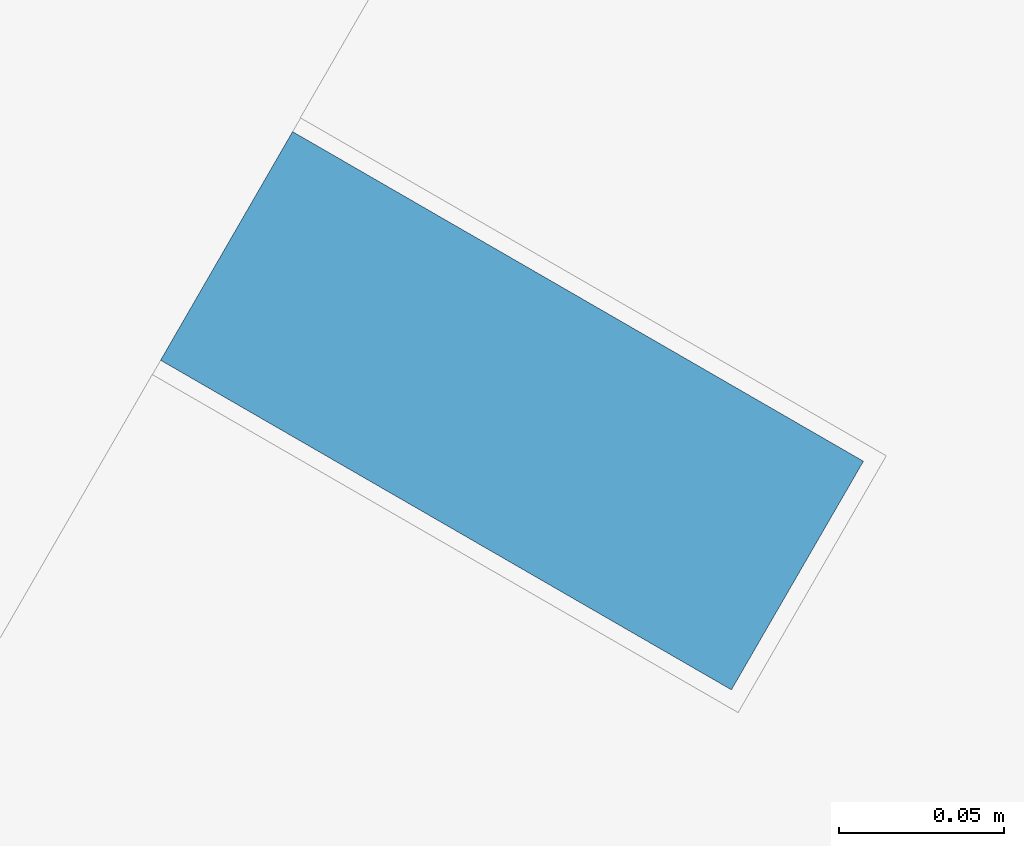
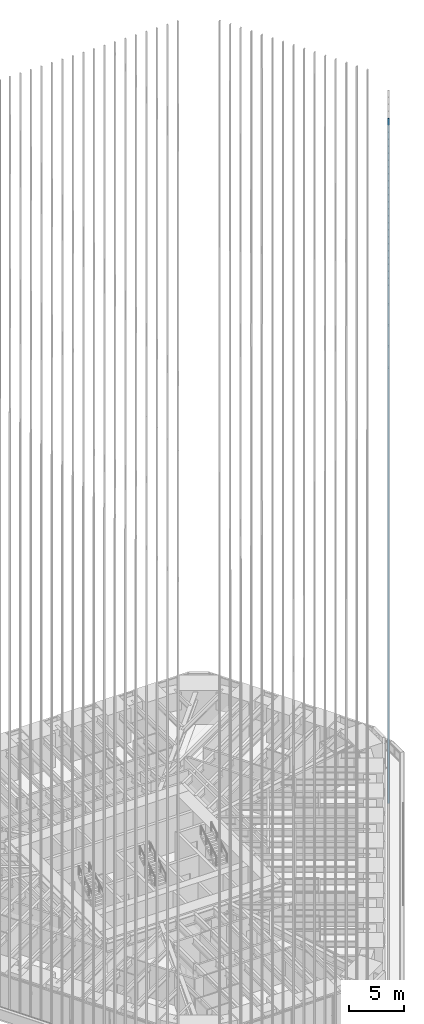
# One storey, part 116 of 238: 1 member, 1 element without a shape of its own.
"""IFC4 building model written with IfcOpenShell, lengths in metres."""

from ifc_helpers import new_model, si_unit, direction, frame, origin, origin_2d, place, context, subcontext, project, spatial, rectangle, extrude, material, material_profile, profile_set, type_object, element, aggregate, save


model = new_model("IFC4")

# Units and contexts
model_context = context("Model", 3, precision=1e-05, world=origin(), true_north=direction((0.0, 1.0)))
body_context = subcontext(model_context, "Body", "Model", "MODEL_VIEW")
ifc_project = project(units=[si_unit("LENGTHUNIT", "METRE"), si_unit("AREAUNIT", "SQUARE_METRE"), si_unit("VOLUMEUNIT", "CUBIC_METRE"), si_unit("PLANEANGLEUNIT", "RADIAN"), si_unit("MASSUNIT", "GRAM", prefix="KILO")], contexts=[model_context])

# Site, building, storey
site_placement = place(None, origin())
site = spatial("IfcSite", under=ifc_project, at=site_placement, CompositionType="ELEMENT")
building_placement = place(site_placement, origin())
building = spatial("IfcBuilding", under=site, at=building_placement, Name="Sandreach Pilgrim Tower", CompositionType="ELEMENT")
storey_placement = place(building_placement, frame((0.0, 0.0, 96.800048828125)))
storey = spatial("IfcBuildingStorey", under=building, at=storey_placement, Name="L23", CompositionType="ELEMENT", Elevation=96.800048828125)

# Curtain wall, member
ifc_material_1 = material(Name="Aluminium framed curtain wall", Category="aluminium")
curtain_wall_type = type_object("IfcCurtainWallType", Name="Hotel tower curtain wall", PredefinedType="NOTDEFINED", material=ifc_material_1)
curtain_wall_placement = place(storey_placement, origin())
curtain_wall = element("IfcCurtainWall", 1, at=curtain_wall_placement, inside=storey, type_object=curtain_wall_type, Name="CW-2 L23 SE", PredefinedType="NOTDEFINED")
ifc_material_2 = material(Name="Extruded terracotta on aluminium core", Category="masonry")
ifc_material_profile = material_profile(ifc_material_2, rectangle(XDim=0.080078125, YDim=0.199951171875, at=origin_2d()), Name="TBE 80X200")
ifc_profile_set = profile_set([ifc_material_profile], Name="Extruded terracotta on aluminium core")
member_type = type_object("IfcMemberType", Name="Terracotta baguette east", PredefinedType="USERDEFINED", material=ifc_profile_set)
member_placement = place(storey_placement, frame((26.430908203125, -0.0078125, 0.0), z_axis=(0.0, 0.0, 1.0), x_axis=(-0.5, -0.866025403784, 0.0)))
member = element("IfcMember", 2, at=member_placement, type_object=member_type, Name="Baguette Z2 SE05", ObjectType="BAGUETTE", PredefinedType="USERDEFINED", context=body_context, shape_type="SweptSolid", body=[
    extrude(rectangle(XDim=0.080078125, YDim=0.199951171875, at=origin_2d()), origin(), (0.0, 0.0, 1.0), 75.83984375),
])
aggregate(curtain_wall, [member])

save(model, "model.ifc")
